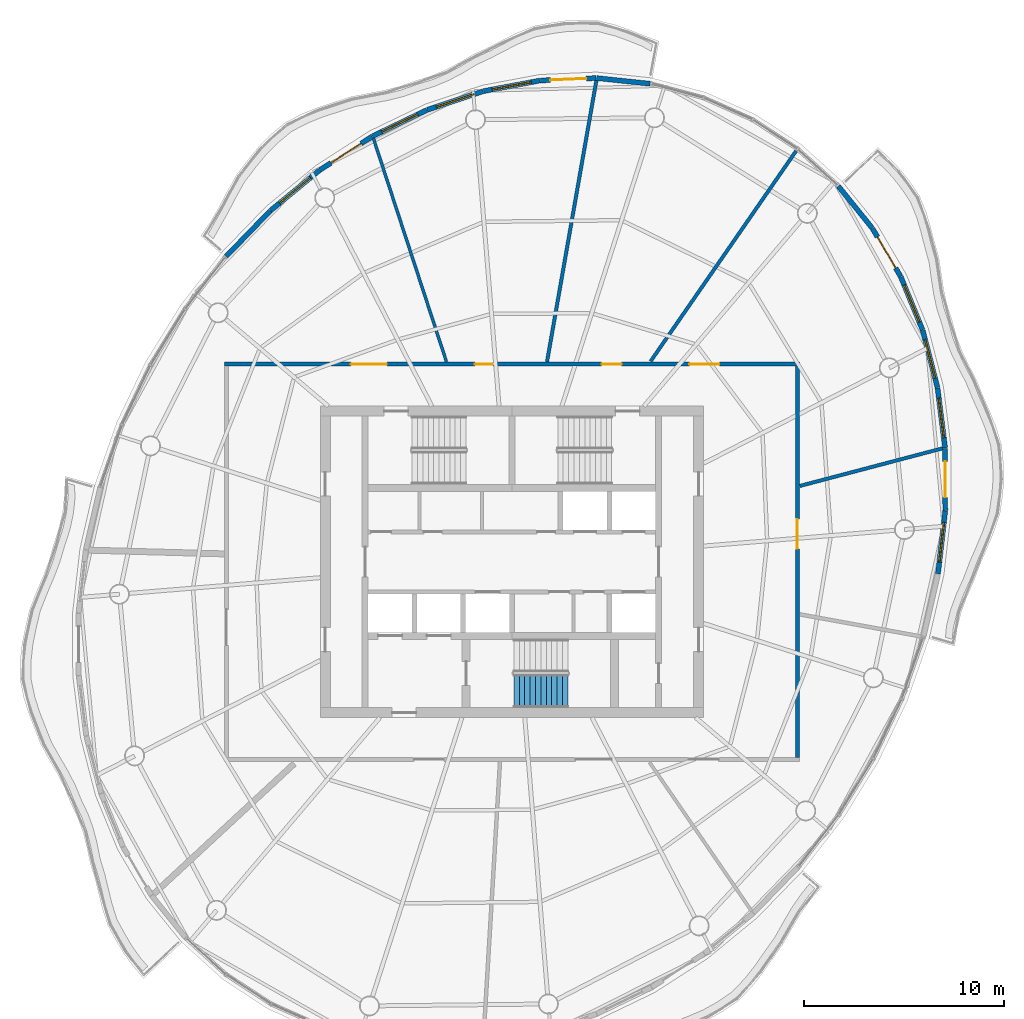
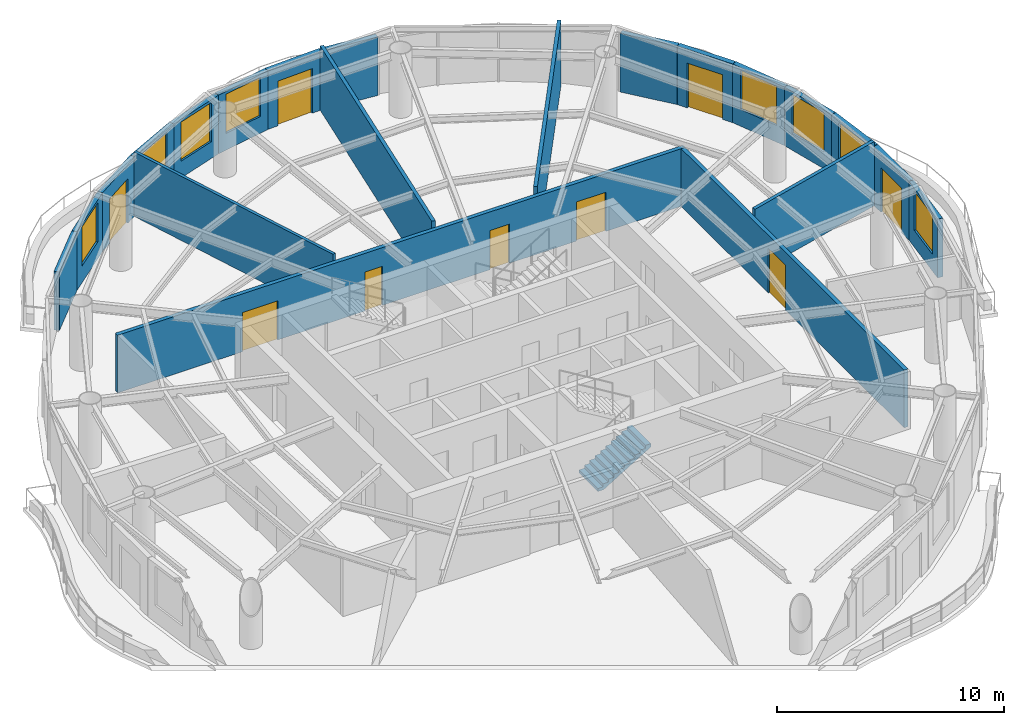
# One storey, part 9 of 13: 21 walls, 9 doors, 8 windows, 1 stair flight, 17 openings, 1 element without a shape of its own.
"""IFC4 building model written with IfcOpenShell, lengths in metres."""

from ifc_helpers import new_model, si_unit, direction, frame, frame_2d, origin, place, context, subcontext, project, spatial, polyline, rectangle, outline, extrude, material, layer, layer_set, type_object, element, fill, aggregate, save


model = new_model("IFC4")

# Units and contexts
model_context = context("Model", 3, precision=1e-05, world=origin(), true_north=direction((0.0, 1.0)))
body_context = subcontext(model_context, "Body", "Model", "MODEL_VIEW")
ifc_project = project(units=[si_unit("LENGTHUNIT", "METRE"), si_unit("AREAUNIT", "SQUARE_METRE"), si_unit("VOLUMEUNIT", "CUBIC_METRE"), si_unit("PLANEANGLEUNIT", "RADIAN"), si_unit("MASSUNIT", "GRAM", prefix="KILO")], contexts=[model_context])

# Site, building, storey
site_placement = place(None, origin())
site = spatial("IfcSite", under=ifc_project, at=site_placement, CompositionType="ELEMENT")
building_placement = place(site_placement, origin())
building = spatial("IfcBuilding", under=site, at=building_placement, Name="Vermilion Reach Broadcast Tower", CompositionType="ELEMENT")
storey_placement = place(building_placement, frame((0.0, 0.0, 279.300048828125)))
storey = spatial("IfcBuildingStorey", under=building, at=storey_placement, Name="L69", CompositionType="ELEMENT", Elevation=279.300048828125)

# Walls
ifc_material_1 = material(Name="Lightweight concrete block, plastered", Category="concrete")
ifc_layer_1 = layer(ifc_material_1, 0.14990234375)
ifc_layer_set_1 = layer_set([ifc_layer_1], Name="Partition 150 lightweight block")
wall_type_1 = type_object("IfcWallType", Name="Partition 150 lightweight block", PredefinedType="PARTITIONING", material=ifc_layer_set_1)
wall_1_placement = place(storey_placement, frame((-12.937255859375, 21.207275390625, 0.0), z_axis=(0.0, 0.0, 1.0), x_axis=(0.310907191513, -0.950440276012, 0.0)))
element("IfcWall", 1, at=wall_1_placement, inside=storey, type_object=wall_type_1, Name="Partition 69.02", PredefinedType="PARTITIONING", context=body_context, shape_type="SweptSolid", body=[
    extrude(rectangle(XDim=11.76708984375, YDim=0.14990234375, at=frame_2d((5.883544921875, 0.0))), origin(), (0.0, 0.0, 1.0), 3.449951171875),
])
ifc_material_2 = material(Name="Fire-rated block, plastered")
ifc_layer_2 = layer(ifc_material_2, 0.175048828125)
ifc_layer_set_2 = layer_set([ifc_layer_2], Name="Partition 175 fire-rated block")
wall_type_2 = type_object("IfcWallType", Name="Partition 175 fire-rated block", PredefinedType="PARTITIONING", material=ifc_layer_set_2)
wall_2_placement = place(storey_placement, frame((-1.769775390625, 24.11083984375, 0.0), z_axis=(0.0, 0.0, 1.0), x_axis=(-0.172813995735, -0.984954477566, 0.0)))
element("IfcWall", 2, at=wall_2_placement, inside=storey, type_object=wall_type_2, Name="Partition 69.01", PredefinedType="PARTITIONING", context=body_context, shape_type="SweptSolid", body=[
    extrude(rectangle(XDim=14.31103515625, YDim=0.175048828125, at=frame_2d((7.155517578125, 0.0))), origin(), (0.0, 0.0, 1.0), 3.449951171875),
])
wall_3_placement = place(storey_placement, frame((15.576171875, 5.68701171875, 0.0), z_axis=(0.0, 0.0, 1.0), x_axis=(-0.96697743214, -0.254862013119, 0.0)))
element("IfcWall", 3, at=wall_3_placement, inside=storey, type_object=wall_type_2, Name="Partition 69.08", PredefinedType="PARTITIONING", context=body_context, shape_type="SweptSolid", body=[
    extrude(rectangle(XDim=7.398193359375, YDim=0.175048828125, at=frame_2d((3.69921875, 0.0))), origin(), (0.0, 0.0, 1.0), 3.449951171875),
])
wall_4_placement = place(storey_placement, frame((8.234619140625, 20.58251953125, 0.0), z_axis=(0.0, 0.0, 1.0), x_axis=(-0.568816353784, -0.822464561952, 0.0)))
element("IfcWall", 4, at=wall_4_placement, inside=storey, type_object=wall_type_2, Name="Partition 69.09", PredefinedType="PARTITIONING", context=body_context, shape_type="SweptSolid", body=[
    extrude(rectangle(XDim=12.806396484375, YDim=0.175048828125, at=frame_2d((6.4033203125, 0.0))), origin(), (0.0, 0.0, 1.0), 3.449951171875),
])
ifc_material_3 = material(Name="Terracotta rainscreen cladding", Category="masonry")
ifc_layer_3 = layer(ifc_material_3, 0.25)
ifc_layer_set_3 = layer_set([ifc_layer_3], Name="Terracotta rainscreen wall 250")
wall_type_3 = type_object("IfcWallType", Name="Terracotta rainscreen wall 250", PredefinedType="SOLIDWALL", material=ifc_layer_set_3)
wall_5_placement = place(storey_placement, frame((0.922119140625, 23.950439453125, 0.0), z_axis=(0.0, 0.0, 1.0), x_axis=(-0.99441306122, 0.105558816192, 0.0)))
element("IfcWall", 5, at=wall_5_placement, inside=storey, type_object=wall_type_3, Name="External wall L69 02", PredefinedType="SOLIDWALL", context=body_context, shape_type="SweptSolid", body=[
    extrude(rectangle(XDim=2.68994140625, YDim=0.25, at=frame_2d((1.344970703125, 0.0))), origin(), (0.0, 0.0, 1.0), 3.14990234375),
])

# Wall, opening, door
wall_6_placement = place(storey_placement, frame((-1.779296875, 24.235107421875, 0.0), z_axis=(0.0, 0.0, 1.0), x_axis=(-0.999063892299, -0.043258977142, 0.0)))
wall_6 = element("IfcWall", 6, at=wall_6_placement, inside=storey, type_object=wall_type_3, Name="External wall L69 03", PredefinedType="SOLIDWALL", context=body_context, shape_type="SweptSolid", body=[
    extrude(rectangle(XDim=2.793701171875, YDim=0.25, at=frame_2d((1.39697265625, 0.0))), origin(), (0.0, 0.0, 1.0), 3.14990234375),
])
opening_1_placement = place(wall_6_placement, frame((0.4970703125, 0.0, 0.0)))
opening_1 = element("IfcOpeningElement", 7, at=opening_1_placement, cuts=wall_6, Name="Opening D70", PredefinedType="OPENING", context=body_context, shape_type="SweptSolid", body=[
    extrude(rectangle(XDim=1.800048828125, YDim=2.39990234375, at=frame_2d((0.89990234375, 1.199951171875))), frame((0.0, 0.135009765625, 0.0), z_axis=(0.0, -1.0, 0.0), x_axis=(1.0, 0.0, 0.0)), (0.0, 0.0, 1.0), 0.27001953125),
])
ifc_material_4 = material(Name="Low-e laminated clear glass in aluminium frame", Category="aluminium")
door_type_1 = type_object("IfcDoorType", Name="Balcony sliding door 1800 x 2400", OperationType="DOUBLE_DOOR_SLIDING", PredefinedType="DOOR", material=ifc_material_4)
door_1_placement = place(opening_1_placement, origin())
door_1 = element("IfcDoor", 8, at=door_1_placement, inside=storey, type_object=door_type_1, Name="Balcony door L69 run 01", OperationType="DOUBLE_DOOR_SLIDING", OverallHeight=2.39990234375, OverallWidth=1.800048828125, PredefinedType="DOOR", context=body_context, shape_type="SweptSolid", body=[
    extrude(rectangle(XDim=1.800048828125, YDim=2.39990234375, at=frame_2d((0.89990234375, 1.199951171875))), frame((0.0, 0.02490234375, 0.0), z_axis=(0.0, -1.0, 0.0), x_axis=(1.0, 0.0, 0.0)), (0.0, 0.0, 1.0), 0.050048828125),
])
fill(opening_1, door_1)

# Wall, opening, window
wall_7_placement = place(storey_placement, frame((-4.595947265625, 24.111328125, 0.0), z_axis=(0.0, 0.0, 1.0), x_axis=(-0.982821071431, -0.184560942647, 0.0)))
wall_7 = element("IfcWall", 9, at=wall_7_placement, inside=storey, type_object=wall_type_3, Name="External wall L69 04", PredefinedType="SOLIDWALL", context=body_context, shape_type="SweptSolid", body=[
    extrude(rectangle(XDim=2.867919921875, YDim=0.25, at=frame_2d((1.43408203125, 0.0))), origin(), (0.0, 0.0, 1.0), 3.14990234375),
])
opening_2_placement = place(wall_7_placement, frame((0.433837890625, 0.0, 0.89990234375)))
opening_2 = element("IfcOpeningElement", 10, at=opening_2_placement, cuts=wall_7, Name="Opening W03", PredefinedType="OPENING", context=body_context, shape_type="SweptSolid", body=[
    extrude(rectangle(XDim=2.0, YDim=2.10009765625, at=frame_2d((1.0, 1.050048828125))), frame((0.0, 0.135009765625, 0.0), z_axis=(0.0, -1.0, 0.0), x_axis=(1.0, 0.0, 0.0)), (0.0, 0.0, 1.0), 0.27001953125),
])
ifc_material_5 = material(Name="Low-e laminated clear glass in aluminium frame", Category="aluminium")
window_type = type_object("IfcWindowType", Name="Punched window 2000 x 2100 sill 900", PartitioningType="SINGLE_PANEL", PredefinedType="WINDOW", material=ifc_material_5)
window_1_placement = place(opening_2_placement, origin())
window_1 = element("IfcWindow", 11, at=window_1_placement, inside=storey, type_object=window_type, Name="Window L69 04", OverallHeight=2.10009765625, OverallWidth=2.0, PartitioningType="SINGLE_PANEL", PredefinedType="WINDOW", context=body_context, shape_type="SweptSolid", body=[
    extrude(rectangle(XDim=2.0, YDim=2.10009765625, at=frame_2d((1.0, 1.050048828125))), frame((0.0, 0.030029296875, 0.0), z_axis=(0.0, -1.0, 0.0), x_axis=(1.0, 0.0, 0.0)), (0.0, 0.0, 1.0), 0.06005859375),
])
fill(opening_2, window_1)

wall_8_placement = place(storey_placement, frame((-7.4384765625, 23.575927734375, 0.0), z_axis=(0.0, 0.0, 1.0), x_axis=(-0.948964440236, -0.315383086368, 0.0)))
wall_8 = element("IfcWall", 12, at=wall_8_placement, inside=storey, type_object=wall_type_3, Name="External wall L69 05", PredefinedType="SOLIDWALL", context=body_context, shape_type="SweptSolid", body=[
    extrude(rectangle(XDim=2.948486328125, YDim=0.25, at=frame_2d((1.47412109375, 0.0))), origin(), (0.0, 0.0, 1.0), 3.14990234375),
])
opening_3_placement = place(wall_8_placement, frame((0.47412109375, 0.0, 0.89990234375)))
opening_3 = element("IfcOpeningElement", 13, at=opening_3_placement, cuts=wall_8, Name="Opening W03", PredefinedType="OPENING", context=body_context, shape_type="SweptSolid", body=[
    extrude(rectangle(XDim=2.0, YDim=2.10009765625, at=frame_2d((1.0, 1.050048828125))), frame((0.0, 0.135009765625, 0.0), z_axis=(0.0, -1.0, 0.0), x_axis=(1.0, 0.0, 0.0)), (0.0, 0.0, 1.0), 0.27001953125),
])
window_2_placement = place(opening_3_placement, origin())
window_2 = element("IfcWindow", 14, at=window_2_placement, inside=storey, type_object=window_type, Name="Window L69 05", OverallHeight=2.10009765625, OverallWidth=2.0, PartitioningType="SINGLE_PANEL", PredefinedType="WINDOW", context=body_context, shape_type="SweptSolid", body=[
    extrude(rectangle(XDim=2.0, YDim=2.10009765625, at=frame_2d((1.0, 1.050048828125))), frame((0.0, 0.030029296875, 0.0), z_axis=(0.0, -1.0, 0.0), x_axis=(1.0, 0.0, 0.0)), (0.0, 0.0, 1.0), 0.06005859375),
])
fill(opening_3, window_2)

wall_9_placement = place(storey_placement, frame((-10.2587890625, 22.636962890625, 0.0), z_axis=(0.0, 0.0, 1.0), x_axis=(-0.900781065891, -0.434273498308, 0.0)))
wall_9 = element("IfcWall", 15, at=wall_9_placement, inside=storey, type_object=wall_type_3, Name="External wall L69 06", PredefinedType="SOLIDWALL", context=body_context, shape_type="SweptSolid", body=[
    extrude(rectangle(XDim=3.029541015625, YDim=0.25, at=frame_2d((1.5146484375, 0.0))), origin(), (0.0, 0.0, 1.0), 3.14990234375),
])
opening_4_placement = place(wall_9_placement, frame((0.514892578125, 0.0, 0.89990234375)))
opening_4 = element("IfcOpeningElement", 16, at=opening_4_placement, cuts=wall_9, Name="Opening W03", PredefinedType="OPENING", context=body_context, shape_type="SweptSolid", body=[
    extrude(rectangle(XDim=2.0, YDim=2.10009765625, at=frame_2d((1.0, 1.050048828125))), frame((0.0, 0.135009765625, 0.0), z_axis=(0.0, -1.0, 0.0), x_axis=(1.0, 0.0, 0.0)), (0.0, 0.0, 1.0), 0.27001953125),
])
window_3_placement = place(opening_4_placement, origin())
window_3 = element("IfcWindow", 17, at=window_3_placement, inside=storey, type_object=window_type, Name="Window L69 06", OverallHeight=2.10009765625, OverallWidth=2.0, PartitioningType="SINGLE_PANEL", PredefinedType="WINDOW", context=body_context, shape_type="SweptSolid", body=[
    extrude(rectangle(XDim=2.0, YDim=2.10009765625, at=frame_2d((1.0, 1.050048828125))), frame((0.0, 0.030029296875, 0.0), z_axis=(0.0, -1.0, 0.0), x_axis=(1.0, 0.0, 0.0)), (0.0, 0.0, 1.0), 0.06005859375),
])
fill(opening_4, window_3)

# Wall, opening, door
wall_10_placement = place(storey_placement, frame((-13.008056640625, 21.31005859375, 0.0), z_axis=(0.0, 0.0, 1.0), x_axis=(-0.841150380815, -0.540801291469, 0.0)))
wall_10 = element("IfcWall", 18, at=wall_10_placement, inside=storey, type_object=wall_type_3, Name="External wall L69 07", PredefinedType="SOLIDWALL", context=body_context, shape_type="SweptSolid", body=[
    extrude(rectangle(XDim=3.10595703125, YDim=0.25, at=frame_2d((1.552978515625, 0.0))), origin(), (0.0, 0.0, 1.0), 3.14990234375),
])
opening_5_placement = place(wall_10_placement, frame((0.653076171875, 0.0, 0.0)))
opening_5 = element("IfcOpeningElement", 19, at=opening_5_placement, cuts=wall_10, Name="Opening D70", PredefinedType="OPENING", context=body_context, shape_type="SweptSolid", body=[
    extrude(rectangle(XDim=1.800048828125, YDim=2.39990234375, at=frame_2d((0.89990234375, 1.199951171875))), frame((0.0, 0.135009765625, 0.0), z_axis=(0.0, -1.0, 0.0), x_axis=(1.0, 0.0, 0.0)), (0.0, 0.0, 1.0), 0.27001953125),
])
door_2_placement = place(opening_5_placement, origin())
door_2 = element("IfcDoor", 20, at=door_2_placement, inside=storey, type_object=door_type_1, Name="Balcony door L69 run 02", OperationType="DOUBLE_DOOR_SLIDING", OverallHeight=2.39990234375, OverallWidth=1.800048828125, PredefinedType="DOOR", context=body_context, shape_type="SweptSolid", body=[
    extrude(rectangle(XDim=1.800048828125, YDim=2.39990234375, at=frame_2d((0.89990234375, 1.199951171875))), frame((0.0, 0.02490234375, 0.0), z_axis=(0.0, -1.0, 0.0), x_axis=(1.0, 0.0, 0.0)), (0.0, 0.0, 1.0), 0.050048828125),
])
fill(opening_5, door_2)

# Wall, opening, window
wall_11_placement = place(storey_placement, frame((-15.638916015625, 19.616943359375, 0.0), z_axis=(0.0, 0.0, 1.0), x_axis=(-0.772343261753, -0.635205388851, 0.0)))
wall_11 = element("IfcWall", 21, at=wall_11_placement, inside=storey, type_object=wall_type_3, Name="External wall L69 08", PredefinedType="SOLIDWALL", context=body_context, shape_type="SweptSolid", body=[
    extrude(rectangle(XDim=3.17236328125, YDim=0.25, at=frame_2d((1.586181640625, 0.0))), origin(), (0.0, 0.0, 1.0), 3.14990234375),
])
opening_6_placement = place(wall_11_placement, frame((0.586181640625, 0.0, 0.89990234375)))
opening_6 = element("IfcOpeningElement", 22, at=opening_6_placement, cuts=wall_11, Name="Opening W03", PredefinedType="OPENING", context=body_context, shape_type="SweptSolid", body=[
    extrude(rectangle(XDim=2.0, YDim=2.10009765625, at=frame_2d((1.0, 1.050048828125))), frame((0.0, 0.135009765625, 0.0), z_axis=(0.0, -1.0, 0.0), x_axis=(1.0, 0.0, 0.0)), (0.0, 0.0, 1.0), 0.27001953125),
])
window_4_placement = place(opening_6_placement, origin())
window_4 = element("IfcWindow", 23, at=window_4_placement, inside=storey, type_object=window_type, Name="Window L69 08", OverallHeight=2.10009765625, OverallWidth=2.0, PartitioningType="SINGLE_PANEL", PredefinedType="WINDOW", context=body_context, shape_type="SweptSolid", body=[
    extrude(rectangle(XDim=2.0, YDim=2.10009765625, at=frame_2d((1.0, 1.050048828125))), frame((0.0, 0.030029296875, 0.0), z_axis=(0.0, -1.0, 0.0), x_axis=(1.0, 0.0, 0.0)), (0.0, 0.0, 1.0), 0.06005859375),
])
fill(opening_6, window_4)

# Wall
wall_12_placement = place(storey_placement, frame((-18.105224609375, 17.5869140625, 0.0), z_axis=(0.0, 0.0, 1.0), x_axis=(-0.695972067976, -0.718068855053, 0.0)))
element("IfcWall", 24, at=wall_12_placement, inside=storey, type_object=wall_type_3, Name="External wall L69 09", PredefinedType="SOLIDWALL", context=body_context, shape_type="SweptSolid", body=[
    extrude(rectangle(XDim=3.18212890625, YDim=0.25, at=frame_2d((1.591064453125, 0.0))), origin(), (0.0, 0.0, 1.0), 3.14990234375),
])

# Wall, opening, window
wall_13_placement = place(storey_placement, frame((15.344970703125, -0.596923828125, 0.0), z_axis=(0.0, 0.0, 1.0), x_axis=(0.114197656454, 0.993458049069, 0.0)))
wall_13 = element("IfcWall", 25, at=wall_13_placement, inside=storey, type_object=wall_type_3, Name="External wall L69 39", PredefinedType="SOLIDWALL", context=body_context, shape_type="SweptSolid", body=[
    extrude(rectangle(XDim=3.172607421875, YDim=0.25, at=frame_2d((1.58642578125, 0.0))), origin(), (0.0, 0.0, 1.0), 3.14990234375),
])
opening_7_placement = place(wall_13_placement, frame((0.586181640625, 0.0, 0.89990234375)))
opening_7 = element("IfcOpeningElement", 26, at=opening_7_placement, cuts=wall_13, Name="Opening W03", PredefinedType="OPENING", context=body_context, shape_type="SweptSolid", body=[
    extrude(rectangle(XDim=2.0, YDim=2.10009765625, at=frame_2d((1.0, 1.050048828125))), frame((0.0, 0.135009765625, 0.0), z_axis=(0.0, -1.0, 0.0), x_axis=(1.0, 0.0, 0.0)), (0.0, 0.0, 1.0), 0.27001953125),
])
window_5_placement = place(opening_7_placement, origin())
window_5 = element("IfcWindow", 27, at=window_5_placement, inside=storey, type_object=window_type, Name="Window L69 39", OverallHeight=2.10009765625, OverallWidth=2.0, PartitioningType="SINGLE_PANEL", PredefinedType="WINDOW", context=body_context, shape_type="SweptSolid", body=[
    extrude(rectangle(XDim=2.0, YDim=2.10009765625, at=frame_2d((1.0, 1.050048828125))), frame((0.0, 0.030029296875, 0.0), z_axis=(0.0, -1.0, 0.0), x_axis=(1.0, 0.0, 0.0)), (0.0, 0.0, 1.0), 0.06005859375),
])
fill(opening_7, window_5)

# Wall, opening, door
wall_14_placement = place(storey_placement, frame((15.70849609375, 2.577392578125, 0.0), z_axis=(0.0, 0.0, 1.0), x_axis=(-0.002436716551, 0.999997031202, 0.0)))
wall_14 = element("IfcWall", 28, at=wall_14_placement, inside=storey, type_object=wall_type_3, Name="External wall L69 40", PredefinedType="SOLIDWALL", context=body_context, shape_type="SweptSolid", body=[
    extrude(rectangle(XDim=3.10595703125, YDim=0.25, at=frame_2d((1.552978515625, 0.0))), origin(), (0.0, 0.0, 1.0), 3.14990234375),
])
opening_8_placement = place(wall_14_placement, frame((0.653076171875, 0.0, 0.0)))
opening_8 = element("IfcOpeningElement", 29, at=opening_8_placement, cuts=wall_14, Name="Opening D70", PredefinedType="OPENING", context=body_context, shape_type="SweptSolid", body=[
    extrude(rectangle(XDim=1.800048828125, YDim=2.39990234375, at=frame_2d((0.89990234375, 1.199951171875))), frame((0.0, 0.135009765625, 0.0), z_axis=(0.0, -1.0, 0.0), x_axis=(1.0, 0.0, 0.0)), (0.0, 0.0, 1.0), 0.27001953125),
])
door_3_placement = place(opening_8_placement, origin())
door_3 = element("IfcDoor", 30, at=door_3_placement, inside=storey, type_object=door_type_1, Name="Balcony door L69 run 10", OperationType="DOUBLE_DOOR_SLIDING", OverallHeight=2.39990234375, OverallWidth=1.800048828125, PredefinedType="DOOR", context=body_context, shape_type="SweptSolid", body=[
    extrude(rectangle(XDim=1.800048828125, YDim=2.39990234375, at=frame_2d((0.89990234375, 1.199951171875))), frame((0.0, 0.02490234375, 0.0), z_axis=(0.0, -1.0, 0.0), x_axis=(1.0, 0.0, 0.0)), (0.0, 0.0, 1.0), 0.050048828125),
])
fill(opening_8, door_3)

# Wall, opening, window
wall_15_placement = place(storey_placement, frame((15.699462890625, 5.70654296875, 0.0), z_axis=(0.0, 0.0, 1.0), x_axis=(-0.124342190255, 0.992239396377, 0.0)))
wall_15 = element("IfcWall", 31, at=wall_15_placement, inside=storey, type_object=wall_type_3, Name="External wall L69 41", PredefinedType="SOLIDWALL", context=body_context, shape_type="SweptSolid", body=[
    extrude(rectangle(XDim=3.029541015625, YDim=0.25, at=frame_2d((1.5146484375, 0.0))), origin(), (0.0, 0.0, 1.0), 3.14990234375),
])
opening_9_placement = place(wall_15_placement, frame((0.514892578125, 0.0, 0.89990234375)))
opening_9 = element("IfcOpeningElement", 32, at=opening_9_placement, cuts=wall_15, Name="Opening W03", PredefinedType="OPENING", context=body_context, shape_type="SweptSolid", body=[
    extrude(rectangle(XDim=2.0, YDim=2.10009765625, at=frame_2d((1.0, 1.050048828125))), frame((0.0, 0.135009765625, 0.0), z_axis=(0.0, -1.0, 0.0), x_axis=(1.0, 0.0, 0.0)), (0.0, 0.0, 1.0), 0.27001953125),
])
window_6_placement = place(opening_9_placement, origin())
window_6 = element("IfcWindow", 33, at=window_6_placement, inside=storey, type_object=window_type, Name="Window L69 41", OverallHeight=2.10009765625, OverallWidth=2.0, PartitioningType="SINGLE_PANEL", PredefinedType="WINDOW", context=body_context, shape_type="SweptSolid", body=[
    extrude(rectangle(XDim=2.0, YDim=2.10009765625, at=frame_2d((1.0, 1.050048828125))), frame((0.0, 0.030029296875, 0.0), z_axis=(0.0, -1.0, 0.0), x_axis=(1.0, 0.0, 0.0)), (0.0, 0.0, 1.0), 0.06005859375),
])
fill(opening_9, window_6)

wall_16_placement = place(storey_placement, frame((15.318359375, 8.736083984375, 0.0), z_axis=(0.0, 0.0, 1.0), x_axis=(-0.250378807835, 0.968147949741, 0.0)))
wall_16 = element("IfcWall", 34, at=wall_16_placement, inside=storey, type_object=wall_type_3, Name="External wall L69 42", PredefinedType="SOLIDWALL", context=body_context, shape_type="SweptSolid", body=[
    extrude(rectangle(XDim=2.94873046875, YDim=0.25, at=frame_2d((1.474365234375, 0.0))), origin(), (0.0, 0.0, 1.0), 3.14990234375),
])
opening_10_placement = place(wall_16_placement, frame((0.47412109375, 0.0, 0.89990234375)))
opening_10 = element("IfcOpeningElement", 35, at=opening_10_placement, cuts=wall_16, Name="Opening W03", PredefinedType="OPENING", context=body_context, shape_type="SweptSolid", body=[
    extrude(rectangle(XDim=2.0, YDim=2.10009765625, at=frame_2d((1.0, 1.050048828125))), frame((0.0, 0.135009765625, 0.0), z_axis=(0.0, -1.0, 0.0), x_axis=(1.0, 0.0, 0.0)), (0.0, 0.0, 1.0), 0.27001953125),
])
window_7_placement = place(opening_10_placement, origin())
window_7 = element("IfcWindow", 36, at=window_7_placement, inside=storey, type_object=window_type, Name="Window L69 42", OverallHeight=2.10009765625, OverallWidth=2.0, PartitioningType="SINGLE_PANEL", PredefinedType="WINDOW", context=body_context, shape_type="SweptSolid", body=[
    extrude(rectangle(XDim=2.0, YDim=2.10009765625, at=frame_2d((1.0, 1.050048828125))), frame((0.0, 0.030029296875, 0.0), z_axis=(0.0, -1.0, 0.0), x_axis=(1.0, 0.0, 0.0)), (0.0, 0.0, 1.0), 0.06005859375),
])
fill(opening_10, window_7)

wall_17_placement = place(storey_placement, frame((14.572265625, 11.6142578125, 0.0), z_axis=(0.0, 0.0, 1.0), x_axis=(-0.378556607441, 0.925578140928, 0.0)))
wall_17 = element("IfcWall", 37, at=wall_17_placement, inside=storey, type_object=wall_type_3, Name="External wall L69 43", PredefinedType="SOLIDWALL", context=body_context, shape_type="SweptSolid", body=[
    extrude(rectangle(XDim=2.867919921875, YDim=0.25, at=frame_2d((1.43408203125, 0.0))), origin(), (0.0, 0.0, 1.0), 3.14990234375),
])
opening_11_placement = place(wall_17_placement, frame((0.433837890625, 0.0, 0.89990234375)))
opening_11 = element("IfcOpeningElement", 38, at=opening_11_placement, cuts=wall_17, Name="Opening W03", PredefinedType="OPENING", context=body_context, shape_type="SweptSolid", body=[
    extrude(rectangle(XDim=2.0, YDim=2.10009765625, at=frame_2d((1.0, 1.050048828125))), frame((0.0, 0.135009765625, 0.0), z_axis=(0.0, -1.0, 0.0), x_axis=(1.0, 0.0, 0.0)), (0.0, 0.0, 1.0), 0.27001953125),
])
window_8_placement = place(opening_11_placement, origin())
window_8 = element("IfcWindow", 39, at=window_8_placement, inside=storey, type_object=window_type, Name="Window L69 43", OverallHeight=2.10009765625, OverallWidth=2.0, PartitioningType="SINGLE_PANEL", PredefinedType="WINDOW", context=body_context, shape_type="SweptSolid", body=[
    extrude(rectangle(XDim=2.0, YDim=2.10009765625, at=frame_2d((1.0, 1.050048828125))), frame((0.0, 0.030029296875, 0.0), z_axis=(0.0, -1.0, 0.0), x_axis=(1.0, 0.0, 0.0)), (0.0, 0.0, 1.0), 0.06005859375),
])
fill(opening_11, window_8)

# Wall, opening, door
wall_18_placement = place(storey_placement, frame((13.47509765625, 14.291748046875, 0.0), z_axis=(0.0, 0.0, 1.0), x_axis=(-0.505988605638, 0.862540161943, 0.0)))
wall_18 = element("IfcWall", 40, at=wall_18_placement, inside=storey, type_object=wall_type_3, Name="External wall L69 44", PredefinedType="SOLIDWALL", context=body_context, shape_type="SweptSolid", body=[
    extrude(rectangle(XDim=2.793701171875, YDim=0.25, at=frame_2d((1.39697265625, 0.0))), origin(), (0.0, 0.0, 1.0), 3.14990234375),
])
opening_12_placement = place(wall_18_placement, frame((0.4970703125, 0.0, 0.0)))
opening_12 = element("IfcOpeningElement", 41, at=opening_12_placement, cuts=wall_18, Name="Opening D70", PredefinedType="OPENING", context=body_context, shape_type="SweptSolid", body=[
    extrude(rectangle(XDim=1.800048828125, YDim=2.39990234375, at=frame_2d((0.89990234375, 1.199951171875))), frame((0.0, 0.135009765625, 0.0), z_axis=(0.0, -1.0, 0.0), x_axis=(1.0, 0.0, 0.0)), (0.0, 0.0, 1.0), 0.27001953125),
])
door_4_placement = place(opening_12_placement, origin())
door_4 = element("IfcDoor", 42, at=door_4_placement, inside=storey, type_object=door_type_1, Name="Balcony door L69 run 11", OperationType="DOUBLE_DOOR_SLIDING", OverallHeight=2.39990234375, OverallWidth=1.800048828125, PredefinedType="DOOR", context=body_context, shape_type="SweptSolid", body=[
    extrude(rectangle(XDim=1.800048828125, YDim=2.39990234375, at=frame_2d((0.89990234375, 1.199951171875))), frame((0.0, 0.02490234375, 0.0), z_axis=(0.0, -1.0, 0.0), x_axis=(1.0, 0.0, 0.0)), (0.0, 0.0, 1.0), 0.050048828125),
])
fill(opening_12, door_4)

# Wall
wall_19_placement = place(storey_placement, frame((12.04638671875, 16.72314453125, 0.0), z_axis=(0.0, 0.0, 1.0), x_axis=(-0.628406818234, 0.777884869885, 0.0)))
element("IfcWall", 43, at=wall_19_placement, inside=storey, type_object=wall_type_3, Name="External wall L69 45", PredefinedType="SOLIDWALL", context=body_context, shape_type="SweptSolid", body=[
    extrude(rectangle(XDim=2.68994140625, YDim=0.25, at=frame_2d((1.344970703125, 0.0))), origin(), (0.0, 0.0, 1.0), 3.14990234375),
])

# Wall, openings, doors
ifc_material_6 = material(Name="Fire-rated gypsum board partition")
ifc_layer_4 = layer(ifc_material_6, 0.199951171875)
ifc_layer_set_4 = layer_set([ifc_layer_4], Name="Under girder: Corridor wall 200 fire-rated")
wall_type_4 = type_object("IfcWallType", Name="Under girder: Corridor wall 200 fire-rated", PredefinedType="PARTITIONING", material=ifc_layer_set_4)
wall_20_placement = place(storey_placement, frame((-20.39990234375, 9.89990234375, 0.0), z_axis=(0.0, 0.0, 1.0), x_axis=(1.0, 0.0, 0.0)))
wall_20 = element("IfcWall", 44, at=wall_20_placement, inside=storey, type_object=wall_type_4, Name="Corridor wall 69.N", PredefinedType="PARTITIONING", context=body_context, shape_type="SweptSolid", body=[
    extrude(rectangle(XDim=28.7998046875, YDim=0.199951171875, at=frame_2d((14.39990234375, 0.0))), origin(), (0.0, 0.0, 1.0), 3.099853515625),
])
opening_13_placement = place(wall_20_placement, frame((12.54150390625, 0.0, 0.0)))
opening_13 = element("IfcOpeningElement", 45, at=opening_13_placement, cuts=wall_20, Name="Opening D22", PredefinedType="OPENING", context=body_context, shape_type="SweptSolid", body=[
    extrude(rectangle(XDim=0.89990234375, YDim=2.10009765625, at=frame_2d((0.449951171875, 1.050048828125))), frame((0.0, 0.10986328125, 0.0), z_axis=(0.0, -1.0, 0.0), x_axis=(1.0, 0.0, 0.0)), (0.0, 0.0, 1.0), 0.219970703125),
])
opening_14_placement = place(wall_20_placement, frame((6.330078125, 0.0, 0.0)))
opening_14 = element("IfcOpeningElement", 46, at=opening_14_placement, cuts=wall_20, Name="Opening D21", PredefinedType="OPENING", context=body_context, shape_type="SweptSolid", body=[
    extrude(rectangle(XDim=1.800048828125, YDim=2.10009765625, at=frame_2d((0.89990234375, 1.050048828125))), frame((0.0, 0.10986328125, 0.0), z_axis=(0.0, -1.0, 0.0), x_axis=(1.0, 0.0, 0.0)), (0.0, 0.0, 1.0), 0.219970703125),
])
opening_15_placement = place(wall_20_placement, frame((23.2861328125, 0.0, 0.0)))
opening_15 = element("IfcOpeningElement", 47, at=opening_15_placement, cuts=wall_20, Name="Opening D24", PredefinedType="OPENING", context=body_context, shape_type="SweptSolid", body=[
    extrude(rectangle(XDim=1.5, YDim=2.10009765625, at=frame_2d((0.75, 1.050048828125))), frame((0.0, 0.10986328125, 0.0), z_axis=(0.0, -1.0, 0.0), x_axis=(1.0, 0.0, 0.0)), (0.0, 0.0, 1.0), 0.219970703125),
])
opening_16_placement = place(wall_20_placement, frame((18.892333984375, 0.0, 0.0)))
opening_16 = element("IfcOpeningElement", 48, at=opening_16_placement, cuts=wall_20, Name="Opening D20", PredefinedType="OPENING", context=body_context, shape_type="SweptSolid", body=[
    extrude(rectangle(XDim=1.0, YDim=2.10009765625, at=frame_2d((0.5, 1.050048828125))), frame((0.0, 0.10986328125, 0.0), z_axis=(0.0, -1.0, 0.0), x_axis=(1.0, 0.0, 0.0)), (0.0, 0.0, 1.0), 0.219970703125),
])
ifc_material_7 = material(Name="Timber door leaf", Category="wood")
door_type_2 = type_object("IfcDoorType", Name="Door pair 1500x2100", OperationType="NOTDEFINED", PredefinedType="DOOR", material=ifc_material_7)
door_5_placement = place(opening_15_placement, origin())
door_5 = element("IfcDoor", 49, at=door_5_placement, inside=storey, type_object=door_type_2, Name="Door 69.08", OperationType="DOUBLE_DOOR_SINGLE_SWING", OverallHeight=2.10009765625, OverallWidth=1.5, PredefinedType="DOOR", context=body_context, shape_type="SweptSolid", body=[
    extrude(rectangle(XDim=1.5, YDim=2.10009765625, at=frame_2d((0.75, 1.050048828125))), frame((0.0, 0.02490234375, 0.0), z_axis=(0.0, -1.0, 0.0), x_axis=(1.0, 0.0, 0.0)), (0.0, 0.0, 1.0), 0.050048828125),
])
fill(opening_15, door_5)
ifc_material_8 = material(Name="Timber door leaf", Category="wood")
door_type_3 = type_object("IfcDoorType", Name="Door pair 1800x2100", OperationType="NOTDEFINED", PredefinedType="DOOR", material=ifc_material_8)
door_6_placement = place(opening_14_placement, origin())
door_6 = element("IfcDoor", 50, at=door_6_placement, inside=storey, type_object=door_type_3, Name="Door 69.02", OperationType="DOUBLE_DOOR_SINGLE_SWING", OverallHeight=2.10009765625, OverallWidth=1.800048828125, PredefinedType="DOOR", context=body_context, shape_type="SweptSolid", body=[
    extrude(rectangle(XDim=1.800048828125, YDim=2.10009765625, at=frame_2d((0.89990234375, 1.050048828125))), frame((0.0, 0.02490234375, 0.0), z_axis=(0.0, -1.0, 0.0), x_axis=(1.0, 0.0, 0.0)), (0.0, 0.0, 1.0), 0.050048828125),
])
fill(opening_14, door_6)
ifc_material_9 = material(Name="Timber door leaf", Category="wood")
door_type_4 = type_object("IfcDoorType", Name="Door single 1000x2100", OperationType="NOTDEFINED", PredefinedType="DOOR", material=ifc_material_9)
door_7_placement = place(opening_16_placement, origin())
door_7 = element("IfcDoor", 51, at=door_7_placement, inside=storey, type_object=door_type_4, Name="Door 69.09", OperationType="SINGLE_SWING_RIGHT", OverallHeight=2.10009765625, OverallWidth=1.0, PredefinedType="DOOR", context=body_context, shape_type="SweptSolid", body=[
    extrude(rectangle(XDim=1.0, YDim=2.10009765625, at=frame_2d((0.5, 1.050048828125))), frame((0.0, 0.02490234375, 0.0), z_axis=(0.0, -1.0, 0.0), x_axis=(1.0, 0.0, 0.0)), (0.0, 0.0, 1.0), 0.050048828125),
])
fill(opening_16, door_7)
ifc_material_10 = material(Name="Timber door leaf", Category="wood")
door_type_5 = type_object("IfcDoorType", Name="Door single 900x2100", OperationType="NOTDEFINED", PredefinedType="DOOR", material=ifc_material_10)
door_8_placement = place(opening_13_placement, origin())
door_8 = element("IfcDoor", 52, at=door_8_placement, inside=storey, type_object=door_type_5, Name="Door 69.01", OperationType="SINGLE_SWING_LEFT", OverallHeight=2.10009765625, OverallWidth=0.89990234375, PredefinedType="DOOR", context=body_context, shape_type="SweptSolid", body=[
    extrude(rectangle(XDim=0.89990234375, YDim=2.10009765625, at=frame_2d((0.449951171875, 1.050048828125))), frame((0.0, 0.02490234375, 0.0), z_axis=(0.0, -1.0, 0.0), x_axis=(1.0, 0.0, 0.0)), (0.0, 0.0, 1.0), 0.050048828125),
])
fill(opening_13, door_8)

# Wall, opening, door
wall_21_placement = place(storey_placement, frame((8.300048828125, 9.800048828125, 0.0), z_axis=(0.0, 0.0, 1.0), x_axis=(0.0, -1.0, 0.0)))
wall_21 = element("IfcWall", 53, at=wall_21_placement, inside=storey, type_object=wall_type_4, Name="Corridor wall 69.E", PredefinedType="PARTITIONING", context=body_context, shape_type="SweptSolid", body=[
    extrude(rectangle(XDim=19.60009765625, YDim=0.199951171875, at=frame_2d((9.800048828125, 0.0))), origin(), (0.0, 0.0, 1.0), 3.099853515625),
])
opening_17_placement = place(wall_21_placement, frame((7.656005859375, 0.0, 0.0)))
opening_17 = element("IfcOpeningElement", 54, at=opening_17_placement, cuts=wall_21, Name="Opening D25", PredefinedType="OPENING", context=body_context, shape_type="SweptSolid", body=[
    extrude(rectangle(XDim=1.5, YDim=2.39990234375, at=frame_2d((0.75, 1.199951171875))), frame((0.0, 0.10986328125, 0.0), z_axis=(0.0, -1.0, 0.0), x_axis=(1.0, 0.0, 0.0)), (0.0, 0.0, 1.0), 0.219970703125),
])
ifc_material_11 = material(Name="Glazed timber door leaf", Category="wood")
door_type_6 = type_object("IfcDoorType", Name="Door pair 1500x2400", OperationType="NOTDEFINED", PredefinedType="DOOR", material=ifc_material_11)
door_9_placement = place(opening_17_placement, origin())
door_9 = element("IfcDoor", 55, at=door_9_placement, inside=storey, type_object=door_type_6, Name="Door 69.07", OperationType="DOUBLE_DOOR_SINGLE_SWING", OverallHeight=2.39990234375, OverallWidth=1.5, PredefinedType="DOOR", context=body_context, shape_type="SweptSolid", body=[
    extrude(rectangle(XDim=1.5, YDim=2.39990234375, at=frame_2d((0.75, 1.199951171875))), frame((0.0, 0.02490234375, 0.0), z_axis=(0.0, -1.0, 0.0), x_axis=(1.0, 0.0, 0.0)), (0.0, 0.0, 1.0), 0.050048828125),
])
fill(opening_17, door_9)

# Stair, stair flight
ifc_material_12 = material(Name="Concrete C40", Category="concrete")
stair_type = type_object("IfcStairType", Name="Exit stair RC 22 risers 164 mm", PredefinedType="HALF_TURN_STAIR", material=ifc_material_12)
stair_placement = place(storey_placement, origin())
stair = element("IfcStair", 56, at=stair_placement, inside=storey, type_object=stair_type, Name="L69 Exit stair ST3", PredefinedType="HALF_TURN_STAIR")
ifc_material_13 = material(Name="Concrete C40", Category="concrete")
stair_flight_type = type_object("IfcStairFlightType", Name="Exit stair flight RC 11 risers", PredefinedType="STRAIGHT", material=ifc_material_13)
stair_flight_placement = place(storey_placement, frame((-5.89990234375, -6.469970703125, 0.0), z_axis=(0.0, 0.0, 1.0), x_axis=(1.0, 0.0, 0.0)))
stair_flight = element("IfcStairFlight", 57, at=stair_flight_placement, type_object=stair_flight_type, Name="ST3 flight 1", NumberOfRisers=11, NumberOfTreads=10, PredefinedType="STRAIGHT", RiserHeight=0.163636364, TreadLength=0.27, context=body_context, shape_type="SweptSolid", body=[
    extrude(outline(polyline([(0.0, 0.0), (0.0, 0.16357421875), (0.27001953125, 0.16357421875), (0.27001953125, 0.327392578125), (0.5400390625, 0.327392578125), (0.5400390625, 0.490966796875), (0.81005859375, 0.490966796875), (0.81005859375, 0.654541015625), (1.080078125, 0.654541015625), (1.080078125, 0.818115234375), (1.35009765625, 0.818115234375), (1.35009765625, 0.98193359375), (1.6201171875, 0.98193359375), (1.6201171875, 1.1455078125), (1.889892578125, 1.1455078125), (1.889892578125, 1.30908203125), (2.159912109375, 1.30908203125), (2.159912109375, 1.47265625), (2.429931640625, 1.47265625), (2.429931640625, 1.636474609375), (2.699951171875, 1.636474609375), (2.699951171875, 1.800048828125), (2.699951171875, 1.461181640625), (0.289306640625, 0.0), (0.0, 0.0)])), frame((0.0, 0.830078125, 0.0), z_axis=(0.0, -1.0, 0.0), x_axis=(1.0, 0.0, 0.0)), (0.0, 0.0, 1.0), 1.659912109375),
])
aggregate(stair, [stair_flight])

save(model, "model.ifc")
